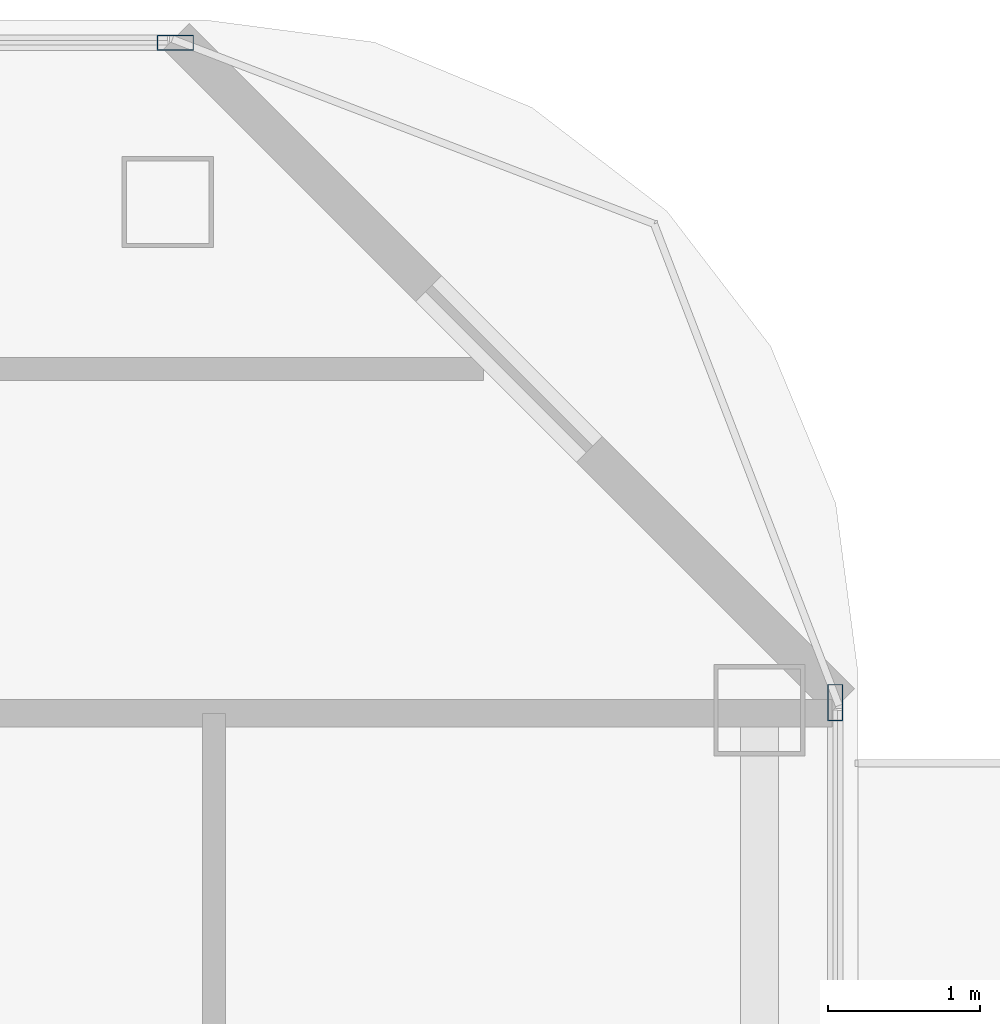
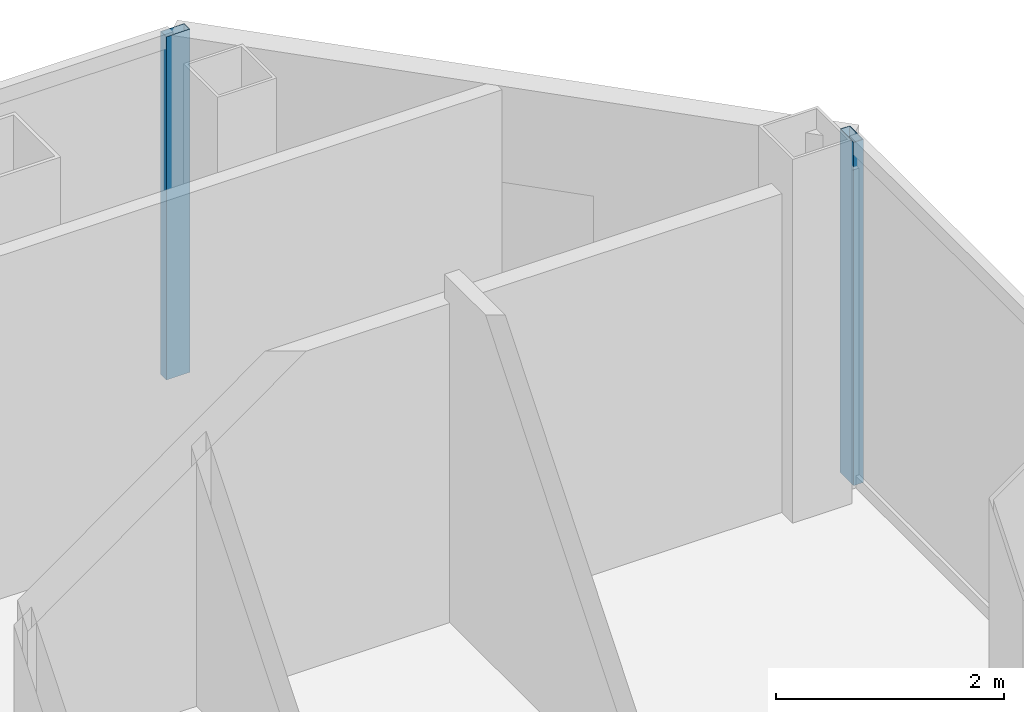
# One storey, part 18 of 26: 2 members, 2 elements without a shape of their own.
"""IFC4 building model written with IfcOpenShell, lengths in metres."""

from ifc_helpers import new_model, si_unit, direction, frame, origin, origin_2d, place, context, subcontext, project, spatial, hollow_rectangle, extrude, material, layer, layer_set, material_profile, profile_set, type_object, element, aggregate, save


model = new_model("IFC4")

# Units and contexts
model_context = context("Model", 3, precision=1e-05, world=origin(), true_north=direction((0.0, 1.0)))
body_context = subcontext(model_context, "Body", "Model", "MODEL_VIEW")
ifc_project = project(units=[si_unit("LENGTHUNIT", "METRE"), si_unit("AREAUNIT", "SQUARE_METRE"), si_unit("VOLUMEUNIT", "CUBIC_METRE"), si_unit("PLANEANGLEUNIT", "RADIAN"), si_unit("MASSUNIT", "GRAM", prefix="KILO")], contexts=[model_context])

# Site, building, storey
site_placement = place(None, origin())
site = spatial("IfcSite", under=ifc_project, at=site_placement, CompositionType="ELEMENT")
building_placement = place(site_placement, origin())
building = spatial("IfcBuilding", under=site, at=building_placement, Name="Khorvyn Point Tower", CompositionType="ELEMENT")
storey_placement = place(building_placement, frame((0.0, 0.0, 223.5)))
storey = spatial("IfcBuildingStorey", under=building, at=storey_placement, Name="L55", CompositionType="ELEMENT", Elevation=223.5)

# Curtain wall, member
ifc_material_1 = material(Name="Anodised aluminium 6063-T6 and laminated Low-E glass", Category="aluminium")
ifc_layer = layer(ifc_material_1, 0.18994140625)
ifc_layer_set = layer_set([ifc_layer], Name="Stick-Built Acoustic Curtain Wall CW-SYS-03")
curtain_wall_type = type_object("IfcCurtainWallType", Name="Stick-Built Acoustic Curtain Wall CW-SYS-03", PredefinedType="NOTDEFINED", material=ifc_layer_set)
curtain_wall_1_placement = place(storey_placement, origin())
curtain_wall_1 = element("IfcCurtainWall", 1, at=curtain_wall_1_placement, inside=storey, type_object=curtain_wall_type, Name="Curtain Wall", PredefinedType="NOTDEFINED")
ifc_material_2 = material(Name="Anodised aluminium 6063-T6", Category="aluminium")
ifc_material_profile = material_profile(ifc_material_2, hollow_rectangle(XDim=0.10009765625, YDim=0.239990234375, WallThickness=0.0048828125, at=origin_2d()))
ifc_profile_set = profile_set([ifc_material_profile], Name="Anodised aluminium 6063-T6 ALU-MUL-100x240")
member_type = type_object("IfcMemberType", Name="Anodised Aluminium 6063-T6 Mullion ALU-MUL-100x240", PredefinedType="MULLION", material=ifc_profile_set)
member_1_placement = place(storey_placement, frame((21.800048828125, 15.85009765625, 0.0), z_axis=(0.0, 0.0, 1.0), x_axis=(0.0, 1.0, 0.0)))
member_1 = element("IfcMember", 2, at=member_1_placement, type_object=member_type, Name="Transom", PredefinedType="MULLION", context=body_context, shape_type="SweptSolid", body=[
    extrude(hollow_rectangle(XDim=0.10009765625, YDim=0.239990234375, WallThickness=0.0048828125, at=origin_2d()), origin(), (0.0, 0.0, 1.0), 3.679931640625),
])
aggregate(curtain_wall_1, [member_1])

curtain_wall_2_placement = place(storey_placement, origin())
curtain_wall_2 = element("IfcCurtainWall", 3, at=curtain_wall_2_placement, inside=storey, type_object=curtain_wall_type, Name="Curtain Wall", PredefinedType="NOTDEFINED")
member_2_placement = place(storey_placement, frame((26.14990234375, 11.5, 0.0), z_axis=(0.0, 0.0, 1.0), x_axis=(1.0, 0.0, 0.0)))
member_2 = element("IfcMember", 4, at=member_2_placement, type_object=member_type, Name="Transom", PredefinedType="MULLION", context=body_context, shape_type="SweptSolid", body=[
    extrude(hollow_rectangle(XDim=0.10009765625, YDim=0.239990234375, WallThickness=0.0048828125, at=origin_2d()), origin(), (0.0, 0.0, 1.0), 3.679931640625),
])
aggregate(curtain_wall_2, [member_2])

save(model, "model.ifc")
